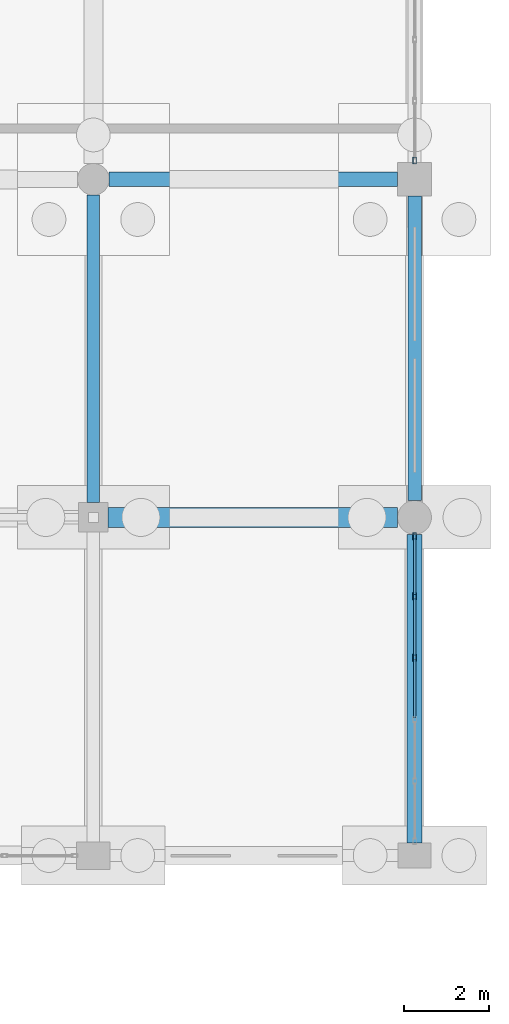
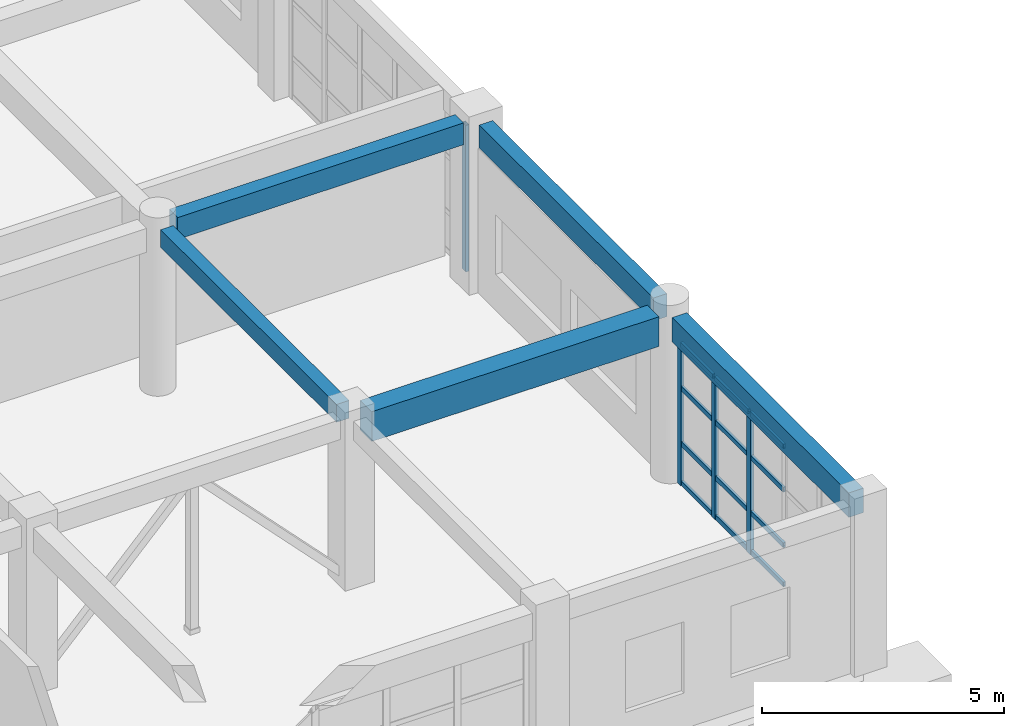
# One storey, part 91 of 166: 16 members, 5 beams, 2 elements without a shape of their own.
"""IFC4 building model written with IfcOpenShell, lengths in metres."""

from ifc_helpers import new_model, si_unit, direction, frame, origin, origin_2d, place, context, subcontext, project, spatial, rectangle, hollow_rectangle, extrude, material, material_profile, profile_set, type_object, element, aggregate, save


model = new_model("IFC4")

# Units and contexts
model_context = context("Model", 3, precision=1e-05, world=origin(), true_north=direction((0.0, 1.0)))
body_context = subcontext(model_context, "Body", "Model", "MODEL_VIEW")
ifc_project = project(units=[si_unit("LENGTHUNIT", "METRE"), si_unit("AREAUNIT", "SQUARE_METRE"), si_unit("VOLUMEUNIT", "CUBIC_METRE"), si_unit("PLANEANGLEUNIT", "RADIAN"), si_unit("MASSUNIT", "GRAM", prefix="KILO")], contexts=[model_context])

# Site, building, storey
site_placement = place(None, origin())
site = spatial("IfcSite", under=ifc_project, at=site_placement, CompositionType="ELEMENT")
building_placement = place(site_placement, origin())
building = spatial("IfcBuilding", under=site, at=building_placement, Name="Kharva Crest Polytechnic", CompositionType="ELEMENT")
storey_placement = place(building_placement, origin())
storey = spatial("IfcBuildingStorey", under=building, at=storey_placement, Name="L00", CompositionType="ELEMENT", Elevation=0.0)

# Beams
ifc_material_1 = material(Name="Concrete C35/45", Category="concrete")
ifc_material_profile_1 = material_profile(ifc_material_1, rectangle(XDim=0.300048828125, YDim=0.449951171875, at=origin_2d()), Name="RECT 300 X 450")
ifc_profile_set_1 = profile_set([ifc_material_profile_1], Name="Concrete C35/45")
beam_type_1 = type_object("IfcBeamType", Name="BM-RC-300X450", PredefinedType="BEAM", material=ifc_profile_set_1)
beam_1_placement = place(storey_placement, frame((176.39990234375, 47.14990234375, 3.9951171875), z_axis=(0.0, 1.0, 0.0), x_axis=(-1.0, 0.0, 0.0)))
element("IfcBeam", 1, at=beam_1_placement, inside=storey, type_object=beam_type_1, Name="L00 Girder 23/G-H", PredefinedType="BEAM", context=body_context, shape_type="SweptSolid", body=[
    extrude(rectangle(XDim=0.300048828125, YDim=0.449951171875, at=origin_2d()), origin(), (0.0, 0.0, 1.0), 7.275146484375),
])
ifc_material_profile_2 = material_profile(ifc_material_1, rectangle(XDim=0.35009765625, YDim=0.550048828125, at=origin_2d()), Name="RECT 350 X 550")
ifc_profile_set_2 = profile_set([ifc_material_profile_2], Name="Concrete C35/45")
beam_type_2 = type_object("IfcBeamType", Name="BM-RC-350X550", PredefinedType="BEAM", material=ifc_profile_set_2)
beam_2_placement = place(storey_placement, frame((176.77490234375, 54.800048828125, 3.945068359375), z_axis=(1.0, 0.0, 0.0), x_axis=(0.0, 1.0, 0.0)))
element("IfcBeam", 2, at=beam_2_placement, inside=storey, type_object=beam_type_2, Name="L00 Beam H/23-24", PredefinedType="BEAM", context=body_context, shape_type="SweptSolid", body=[
    extrude(rectangle(XDim=0.35009765625, YDim=0.550048828125, at=origin_2d()), origin(), (0.0, 0.0, 1.0), 6.8251953125),
])
ifc_material_profile_3 = material_profile(ifc_material_1, rectangle(XDim=0.47998046875, YDim=0.75, at=origin_2d()), Name="RECT 480 X 750")
ifc_profile_set_3 = profile_set([ifc_material_profile_3], Name="Concrete C35/45")
beam_type_3 = type_object("IfcBeamType", Name="BM-RC-480X750", PredefinedType="BEAM", material=ifc_profile_set_3)
beam_3_placement = place(storey_placement, frame((176.75, 46.800048828125, 3.844970703125), z_axis=(1.0, 0.0, 0.0), x_axis=(0.0, 1.0, 0.0)))
element("IfcBeam", 3, at=beam_3_placement, inside=storey, type_object=beam_type_3, Name="L00 Beam G/23-24", PredefinedType="BEAM", context=body_context, shape_type="SweptSolid", body=[
    extrude(rectangle(XDim=0.47998046875, YDim=0.75, at=origin_2d()), origin(), (0.0, 0.0, 1.0), 6.85009765625),
])

# Curtain wall, members
ifc_material_2 = material(Name="Tempered insulated glass", Category="glass")
curtain_wall_type = type_object("IfcCurtainWallType", Name="CW-SYS-COURT", PredefinedType="USERDEFINED", material=ifc_material_2)
curtain_wall_1_placement = place(storey_placement, origin())
curtain_wall_1 = element("IfcCurtainWall", 4, at=curtain_wall_1_placement, inside=storey, type_object=curtain_wall_type, Name="L00 Glazed Curtain Wall CW-016", ObjectType="CURTAIN WALL", PredefinedType="USERDEFINED")
ifc_material_3 = material(Name="Steel S355", Category="steel")
ifc_material_profile_4 = material_profile(ifc_material_3, hollow_rectangle(XDim=0.080078125, YDim=0.159912109375, WallThickness=0.0048828125, at=origin_2d()), Name="RHS 160X80X5.0")
ifc_profile_set_4 = profile_set([ifc_material_profile_4], Name="Steel S355")
member_type_1 = type_object("IfcMemberType", Name="CWM-RHS160X80", PredefinedType="MULLION", material=ifc_profile_set_4)
member_1_placement = place(storey_placement, frame((184.0, 43.47900390625, 0.0), z_axis=(0.0, 0.0, 1.0), x_axis=(-1.0, 0.0, 0.0)))
member_1 = element("IfcMember", 5, at=member_1_placement, type_object=member_type_1, Name="CW-016 mullion 4", PredefinedType="MULLION", context=body_context, shape_type="SweptSolid", body=[
    extrude(hollow_rectangle(XDim=0.080078125, YDim=0.159912109375, WallThickness=0.0048828125, at=origin_2d()), origin(), (0.0, 0.0, 1.0), 3.60009765625),
])
member_2_placement = place(storey_placement, frame((184.0, 44.93701171875, 0.0), z_axis=(0.0, 0.0, 1.0), x_axis=(-1.0, 0.0, 0.0)))
member_2 = element("IfcMember", 6, at=member_2_placement, type_object=member_type_1, Name="CW-016 mullion 5", PredefinedType="MULLION", context=body_context, shape_type="SweptSolid", body=[
    extrude(hollow_rectangle(XDim=0.080078125, YDim=0.159912109375, WallThickness=0.0048828125, at=origin_2d()), origin(), (0.0, 0.0, 1.0), 3.60009765625),
])
member_3_placement = place(storey_placement, frame((184.0, 46.35498046875, 0.0), z_axis=(0.0, 0.0, 1.0), x_axis=(-1.0, 0.0, 0.0)))
member_3 = element("IfcMember", 7, at=member_3_placement, type_object=member_type_1, Name="CW-016 mullion 6", PredefinedType="MULLION", context=body_context, shape_type="SweptSolid", body=[
    extrude(hollow_rectangle(XDim=0.080078125, YDim=0.159912109375, WallThickness=0.0048828125, at=origin_2d()), origin(), (0.0, 0.0, 1.0), 3.60009765625),
])

# Curtain wall, member
curtain_wall_2_placement = place(storey_placement, origin())
curtain_wall_2 = element("IfcCurtainWall", 8, at=curtain_wall_2_placement, inside=storey, type_object=curtain_wall_type, Name="L00 Glazed Curtain Wall CW-017", ObjectType="CURTAIN WALL", PredefinedType="USERDEFINED")
member_4_placement = place(storey_placement, frame((184.0, 55.2451171875, 0.0), z_axis=(0.0, 0.0, 1.0), x_axis=(-1.0, 0.0, 0.0)))
member_4 = element("IfcMember", 9, at=member_4_placement, type_object=member_type_1, Name="CW-017 mullion 1", PredefinedType="MULLION", context=body_context, shape_type="SweptSolid", body=[
    extrude(hollow_rectangle(XDim=0.080078125, YDim=0.159912109375, WallThickness=0.0048828125, at=origin_2d()), origin(), (0.0, 0.0, 1.0), 3.699951171875),
])
aggregate(curtain_wall_2, [member_4])

# Member
ifc_material_profile_5 = material_profile(ifc_material_3, hollow_rectangle(XDim=0.06005859375, YDim=0.1201171875, WallThickness=0.00390625, at=origin_2d()), Name="RHS 120X60X4.0")
ifc_profile_set_5 = profile_set([ifc_material_profile_5], Name="Steel S355")
member_type_2 = type_object("IfcMemberType", Name="CWT-RHS120X60", PredefinedType="USERDEFINED", material=ifc_profile_set_5)
member_5_placement = place(storey_placement, frame((184.0, 42.06103515625, 0.06005859375), z_axis=(0.0, 1.0, 0.0), x_axis=(-1.0, 0.0, 0.0)))
member_5 = element("IfcMember", 10, at=member_5_placement, type_object=member_type_2, Name="CW-016 transom 3.1", ObjectType="TRANSOM", PredefinedType="USERDEFINED", context=body_context, shape_type="SweptSolid", body=[
    extrude(hollow_rectangle(XDim=0.06005859375, YDim=0.1201171875, WallThickness=0.00390625, at=origin_2d()), origin(), (0.0, 0.0, 1.0), 1.3779296875),
])

member_6_placement = place(storey_placement, frame((184.0, 42.06103515625, 1.050048828125), z_axis=(0.0, 1.0, 0.0), x_axis=(-1.0, 0.0, 0.0)))
member_6 = element("IfcMember", 11, at=member_6_placement, type_object=member_type_2, Name="CW-016 transom 3.2", ObjectType="TRANSOM", PredefinedType="USERDEFINED", context=body_context, shape_type="SweptSolid", body=[
    extrude(hollow_rectangle(XDim=0.06005859375, YDim=0.1201171875, WallThickness=0.00390625, at=origin_2d()), origin(), (0.0, 0.0, 1.0), 1.3779296875),
])

member_7_placement = place(storey_placement, frame((184.0, 42.06103515625, 2.449951171875), z_axis=(0.0, 1.0, 0.0), x_axis=(-1.0, 0.0, 0.0)))
member_7 = element("IfcMember", 12, at=member_7_placement, type_object=member_type_2, Name="CW-016 transom 3.3", ObjectType="TRANSOM", PredefinedType="USERDEFINED", context=body_context, shape_type="SweptSolid", body=[
    extrude(hollow_rectangle(XDim=0.06005859375, YDim=0.1201171875, WallThickness=0.00390625, at=origin_2d()), origin(), (0.0, 0.0, 1.0), 1.3779296875),
])

member_8_placement = place(storey_placement, frame((184.0, 42.06103515625, 3.5400390625), z_axis=(0.0, 1.0, 0.0), x_axis=(-1.0, 0.0, 0.0)))
member_8 = element("IfcMember", 13, at=member_8_placement, type_object=member_type_2, Name="CW-016 transom 3.4", ObjectType="TRANSOM", PredefinedType="USERDEFINED", context=body_context, shape_type="SweptSolid", body=[
    extrude(hollow_rectangle(XDim=0.06005859375, YDim=0.1201171875, WallThickness=0.00390625, at=origin_2d()), origin(), (0.0, 0.0, 1.0), 1.3779296875),
])

member_9_placement = place(storey_placement, frame((184.0, 43.51904296875, 0.06005859375), z_axis=(0.0, 1.0, 0.0), x_axis=(-1.0, 0.0, 0.0)))
member_9 = element("IfcMember", 14, at=member_9_placement, type_object=member_type_2, Name="CW-016 transom 4.1", ObjectType="TRANSOM", PredefinedType="USERDEFINED", context=body_context, shape_type="SweptSolid", body=[
    extrude(hollow_rectangle(XDim=0.06005859375, YDim=0.1201171875, WallThickness=0.00390625, at=origin_2d()), origin(), (0.0, 0.0, 1.0), 1.3779296875),
])

member_10_placement = place(storey_placement, frame((184.0, 43.51904296875, 1.050048828125), z_axis=(0.0, 1.0, 0.0), x_axis=(-1.0, 0.0, 0.0)))
member_10 = element("IfcMember", 15, at=member_10_placement, type_object=member_type_2, Name="CW-016 transom 4.2", ObjectType="TRANSOM", PredefinedType="USERDEFINED", context=body_context, shape_type="SweptSolid", body=[
    extrude(hollow_rectangle(XDim=0.06005859375, YDim=0.1201171875, WallThickness=0.00390625, at=origin_2d()), origin(), (0.0, 0.0, 1.0), 1.3779296875),
])

member_11_placement = place(storey_placement, frame((184.0, 43.51904296875, 2.449951171875), z_axis=(0.0, 1.0, 0.0), x_axis=(-1.0, 0.0, 0.0)))
member_11 = element("IfcMember", 16, at=member_11_placement, type_object=member_type_2, Name="CW-016 transom 4.3", ObjectType="TRANSOM", PredefinedType="USERDEFINED", context=body_context, shape_type="SweptSolid", body=[
    extrude(hollow_rectangle(XDim=0.06005859375, YDim=0.1201171875, WallThickness=0.00390625, at=origin_2d()), origin(), (0.0, 0.0, 1.0), 1.3779296875),
])

member_12_placement = place(storey_placement, frame((184.0, 43.51904296875, 3.5400390625), z_axis=(0.0, 1.0, 0.0), x_axis=(-1.0, 0.0, 0.0)))
member_12 = element("IfcMember", 17, at=member_12_placement, type_object=member_type_2, Name="CW-016 transom 4.4", ObjectType="TRANSOM", PredefinedType="USERDEFINED", context=body_context, shape_type="SweptSolid", body=[
    extrude(hollow_rectangle(XDim=0.06005859375, YDim=0.1201171875, WallThickness=0.00390625, at=origin_2d()), origin(), (0.0, 0.0, 1.0), 1.3779296875),
])

member_13_placement = place(storey_placement, frame((184.0, 44.97705078125, 0.06005859375), z_axis=(0.0, 1.0, 0.0), x_axis=(-1.0, 0.0, 0.0)))
member_13 = element("IfcMember", 18, at=member_13_placement, type_object=member_type_2, Name="CW-016 transom 5.1", ObjectType="TRANSOM", PredefinedType="USERDEFINED", context=body_context, shape_type="SweptSolid", body=[
    extrude(hollow_rectangle(XDim=0.06005859375, YDim=0.1201171875, WallThickness=0.00390625, at=origin_2d()), origin(), (0.0, 0.0, 1.0), 1.337890625),
])

member_14_placement = place(storey_placement, frame((184.0, 44.97705078125, 1.050048828125), z_axis=(0.0, 1.0, 0.0), x_axis=(-1.0, 0.0, 0.0)))
member_14 = element("IfcMember", 19, at=member_14_placement, type_object=member_type_2, Name="CW-016 transom 5.2", ObjectType="TRANSOM", PredefinedType="USERDEFINED", context=body_context, shape_type="SweptSolid", body=[
    extrude(hollow_rectangle(XDim=0.06005859375, YDim=0.1201171875, WallThickness=0.00390625, at=origin_2d()), origin(), (0.0, 0.0, 1.0), 1.337890625),
])

member_15_placement = place(storey_placement, frame((184.0, 44.97705078125, 2.449951171875), z_axis=(0.0, 1.0, 0.0), x_axis=(-1.0, 0.0, 0.0)))
member_15 = element("IfcMember", 20, at=member_15_placement, type_object=member_type_2, Name="CW-016 transom 5.3", ObjectType="TRANSOM", PredefinedType="USERDEFINED", context=body_context, shape_type="SweptSolid", body=[
    extrude(hollow_rectangle(XDim=0.06005859375, YDim=0.1201171875, WallThickness=0.00390625, at=origin_2d()), origin(), (0.0, 0.0, 1.0), 1.337890625),
])

member_16_placement = place(storey_placement, frame((184.0, 44.97705078125, 3.5400390625), z_axis=(0.0, 1.0, 0.0), x_axis=(-1.0, 0.0, 0.0)))
member_16 = element("IfcMember", 21, at=member_16_placement, type_object=member_type_2, Name="CW-016 transom 5.4", ObjectType="TRANSOM", PredefinedType="USERDEFINED", context=body_context, shape_type="SweptSolid", body=[
    extrude(hollow_rectangle(XDim=0.06005859375, YDim=0.1201171875, WallThickness=0.00390625, at=origin_2d()), origin(), (0.0, 0.0, 1.0), 1.337890625),
])

aggregate(curtain_wall_1, [member_1, member_2, member_3, member_5, member_6, member_7, member_8, member_9, member_10, member_11, member_12, member_13, member_14, member_15, member_16])

# Beams
ifc_material_profile_6 = material_profile(ifc_material_1, rectangle(XDim=0.320068359375, YDim=0.580078125, at=origin_2d()), Name="RECT 320 X 580")
ifc_profile_set_6 = profile_set([ifc_material_profile_6], Name="Concrete C35/45")
beam_type_4 = type_object("IfcBeamType", Name="SP-RC-320X580", PredefinedType="SPANDREL", material=ifc_profile_set_6)
beam_4_placement = place(storey_placement, frame((184.0, 47.199951171875, 3.929931640625), z_axis=(0.0, 1.0, 0.0), x_axis=(-1.0, 0.0, 0.0)))
element("IfcBeam", 22, at=beam_4_placement, inside=storey, type_object=beam_type_4, Name="L00 Girder 24/G-H", PredefinedType="SPANDREL", context=body_context, shape_type="SweptSolid", body=[
    extrude(rectangle(XDim=0.320068359375, YDim=0.580078125, at=origin_2d()), origin(), (0.0, 0.0, 1.0), 7.199951171875),
])
ifc_material_profile_7 = material_profile(ifc_material_1, rectangle(XDim=0.35009765625, YDim=0.6201171875, at=origin_2d()), Name="RECT 350 X 620")
ifc_profile_set_7 = profile_set([ifc_material_profile_7], Name="Concrete C35/45")
beam_type_5 = type_object("IfcBeamType", Name="SP-RC-350X620", PredefinedType="SPANDREL", material=ifc_profile_set_7)
beam_5_placement = place(storey_placement, frame((184.0, 39.10009765625, 3.909912109375), z_axis=(0.0, 1.0, 0.0), x_axis=(-1.0, 0.0, 0.0)))
element("IfcBeam", 23, at=beam_5_placement, inside=storey, type_object=beam_type_5, Name="L00 Girder 24/FJ-G", PredefinedType="SPANDREL", context=body_context, shape_type="SweptSolid", body=[
    extrude(rectangle(XDim=0.35009765625, YDim=0.6201171875, at=origin_2d()), origin(), (0.0, 0.0, 1.0), 7.2998046875),
])

save(model, "model.ifc")
